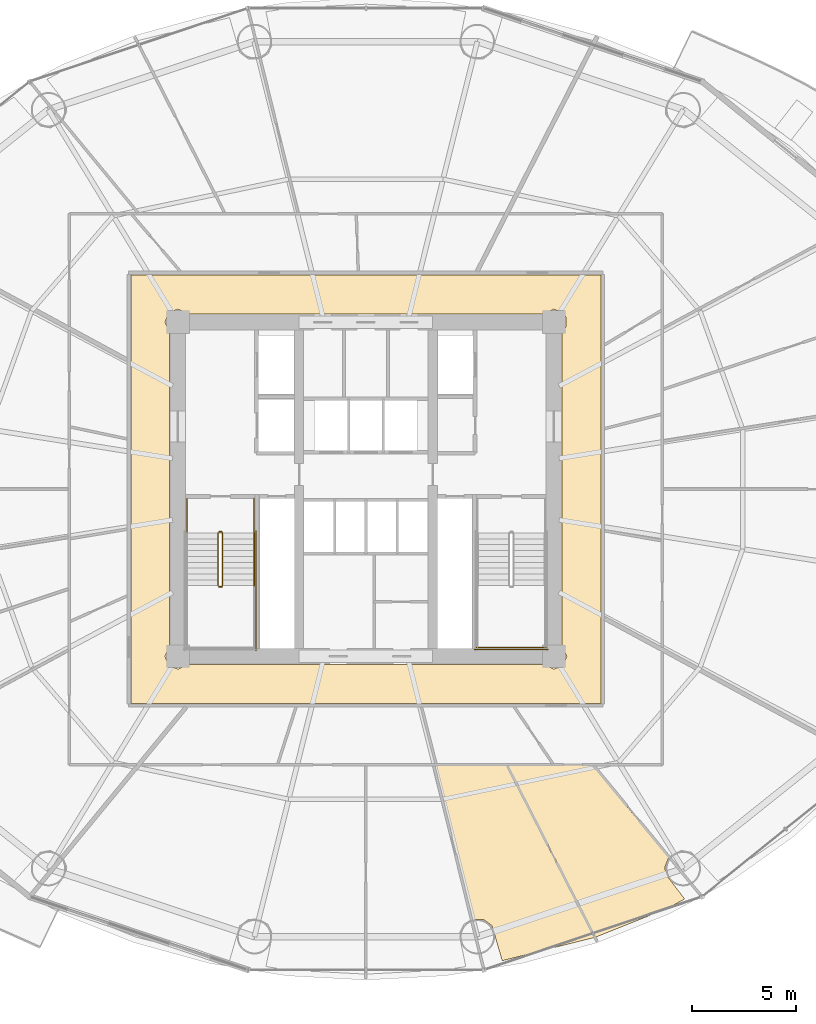
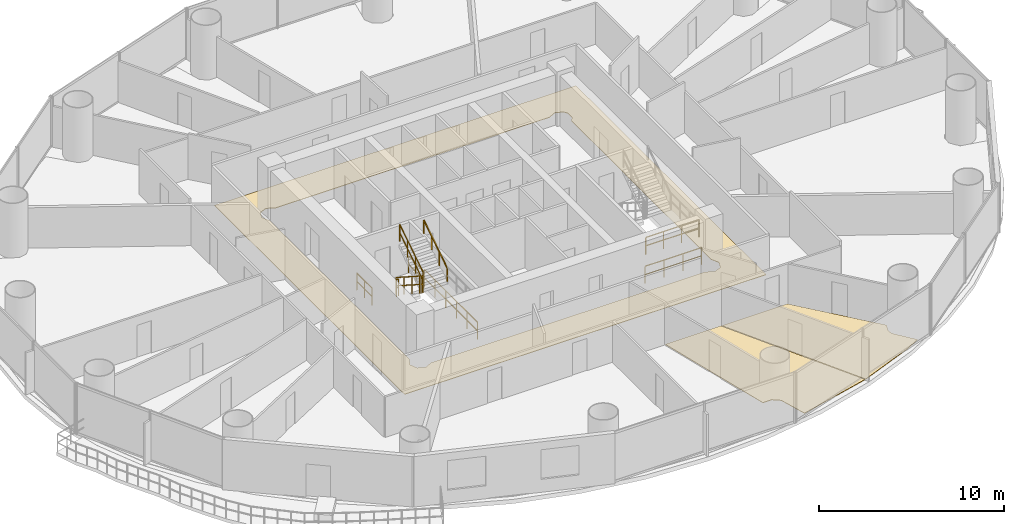
# One storey, part 27 of 29: 10 railings, 3 coverings.
"""IFC4 building model written with IfcOpenShell, lengths in metres."""

from ifc_helpers import new_model, si_unit, direction, frame, origin, origin_2d, place, context, subcontext, project, spatial, polyline, rectangle, outline, extrude, material, layer, layer_set, type_object, element, save


model = new_model("IFC4")

# Units and contexts
model_context = context("Model", 3, precision=1e-05, world=origin(), true_north=direction((-0.2419218956, 0.970295726276)))
body_context = subcontext(model_context, "Body", "Model", "MODEL_VIEW")
ifc_project = project(units=[si_unit("LENGTHUNIT", "METRE"), si_unit("AREAUNIT", "SQUARE_METRE"), si_unit("VOLUMEUNIT", "CUBIC_METRE"), si_unit("PLANEANGLEUNIT", "RADIAN"), si_unit("MASSUNIT", "GRAM", prefix="KILO")], contexts=[model_context])

# Site, building, storey
site_placement = place(None, origin())
site = spatial("IfcSite", under=ifc_project, at=site_placement, CompositionType="ELEMENT")
building_placement = place(site_placement, origin())
building = spatial("IfcBuilding", under=site, at=building_placement, Name="Cobrevalo Terracotta Tower", CompositionType="ELEMENT")
storey_placement = place(building_placement, frame((0.0, 0.0, 52.800048828125)))
storey = spatial("IfcBuildingStorey", under=building, at=storey_placement, Name="L13", CompositionType="ELEMENT", Elevation=52.800048828125)

# Coverings
ifc_material_1 = material(Name="Engineered Brazilian hardwood flooring", Category="wood")
ifc_layer_1 = layer(ifc_material_1, 0.028076171875)
ifc_layer_set_1 = layer_set([ifc_layer_1], Name="Engineered Brazilian hardwood flooring")
covering_type_1 = type_object("IfcCoveringType", Name="Engineered Hardwood Suite Flooring 28", PredefinedType="FLOORING", material=ifc_layer_set_1)
covering_1_placement = place(storey_placement, origin())
element("IfcCovering", 1, at=covering_1_placement, inside=storey, type_object=covering_type_1, Name="Flat L13D Principal Guest Bedroom floor finish", PredefinedType="FLOORING", context=body_context, shape_type="SweptSolid", body=[
    extrude(outline(polyline([(44.527587890625, 4.2255859375), (44.04345703125, 5.89306640625), (43.63330078125, 6.197998046875), (43.075439453125, 6.20703125), (41.264404296875, 13.5849609375), (44.732421875, 13.5849609375), (48.948974609375, 5.336181640625), (44.527587890625, 4.2255859375)])), origin(), (0.0, 0.0, 1.0), 0.030029296875),
])
covering_2_placement = place(storey_placement, origin())
element("IfcCovering", 2, at=covering_2_placement, inside=storey, type_object=covering_type_1, Name="Flat L13D Penthouse Family Lounge floor finish", PredefinedType="FLOORING", context=body_context, shape_type="SweptSolid", body=[
    extrude(outline(polyline([(48.9873046875, 5.3486328125), (44.77734375, 13.5849609375), (48.87060546875, 13.5849609375), (52.5048828125, 9.177490234375), (52.318115234375, 8.71044921875), (52.35498046875, 8.369140625), (53.26318359375, 7.178955078125), (52.361572265625, 6.691650390625), (48.9873046875, 5.3486328125)])), origin(), (0.0, 0.0, 1.0), 0.030029296875),
])
ifc_material_2 = material(Name="Honed terracotta and granite tile", Category="masonry")
ifc_layer_2 = layer(ifc_material_2, 0.034912109375)
ifc_layer_set_2 = layer_set([ifc_layer_2], Name="Honed terracotta and granite tile")
covering_type_2 = type_object("IfcCoveringType", Name="Honed Terracotta & Granite Interior Flooring 35", PredefinedType="FLOORING", material=ifc_layer_set_2)
covering_3_placement = place(storey_placement, origin())
element("IfcCovering", 3, at=covering_3_placement, inside=storey, type_object=covering_type_2, Name="L13 Residential Floor Corridor floor finish", PredefinedType="FLOORING", context=body_context, shape_type="SweptSolid", body=[
    extrude(outline(polyline([(49.2548828125, 37.054931640625), (49.2548828125, 16.544921875), (26.7451171875, 16.544921875), (26.7451171875, 37.054931640625), (49.2548828125, 37.054931640625)]), holes=[polyline([(47.39501953125, 34.33203125), (47.5732421875, 34.5625), (47.5732421875, 35.037353515625), (47.438720703125, 35.23876953125), (47.0, 35.42041015625), (46.5322265625, 35.195068359375), (29.4677734375, 35.195068359375), (29.0, 35.42041015625), (28.561279296875, 35.23876953125), (28.379638671875, 34.800048828125), (28.60498046875, 34.33203125), (28.60498046875, 19.267822265625), (28.379638671875, 18.800048828125), (28.561279296875, 18.361328125), (29.0, 18.1796875), (29.4677734375, 18.405029296875), (46.5322265625, 18.405029296875), (47.0, 18.1796875), (47.438720703125, 18.361328125), (47.620361328125, 18.800048828125), (47.39501953125, 19.267822265625), (47.39501953125, 34.33203125)])]), origin(), (0.0, 0.0, 1.0), 0.030029296875),
])

# Railings
ifc_material_3 = material(Name="Brushed stainless steel", Category="steel")
railing_type_1 = type_object("IfcRailingType", Name="Stainless Steel Stair Handrail 900", PredefinedType="HANDRAIL", material=ifc_material_3)
railing_1_placement = place(storey_placement, frame((32.64501953125, 22.179931640625, 1.97998046875)))
element("IfcRailing", 4, at=railing_1_placement, inside=storey, type_object=railing_type_1, Name="L13 ST-1 stair handrail 2", PredefinedType="HANDRAIL", context=body_context, shape_type="SweptSolid", body=[
    extrude(rectangle(XDim=0.048095703125, YDim=0.048095703125, at=origin_2d()), frame((0.0, 0.0, 0.8759765625), z_axis=(0.0, 0.841199657755, 0.540724639528), x_axis=(-1.0, 0.0, 0.0)), (0.0, 0.0, 1.0), 2.995849609375),
    extrude(rectangle(XDim=0.0419921875, YDim=0.0419921875, at=origin_2d()), origin(), (0.0, 0.0, 1.0), 0.851806640625),
    extrude(rectangle(XDim=0.0419921875, YDim=0.0419921875, at=origin_2d()), frame((0.0, 0.840087890625, 0.5400390625)), (0.0, 0.0, 1.0), 0.851806640625),
    extrude(rectangle(XDim=0.0419921875, YDim=0.0419921875, at=origin_2d()), frame((0.0, 1.679931640625, 1.079833984375)), (0.0, 0.0, 1.0), 0.851806640625),
    extrude(rectangle(XDim=0.0419921875, YDim=0.0419921875, at=origin_2d()), frame((0.0, 2.52001953125, 1.619873046875)), (0.0, 0.0, 1.0), 0.851806640625),
])
ifc_material_4 = material(Name="Painted galvanized steel", Category="steel")
railing_type_2 = type_object("IfcRailingType", Name="Stair Well Guard Balustrade 1150", PredefinedType="GUARDRAIL", material=ifc_material_4)
railing_2_placement = place(storey_placement, frame((30.925048828125, 24.699951171875, 0.179931640625)))
element("IfcRailing", 5, at=railing_2_placement, inside=storey, type_object=railing_type_2, Name="L13 ST-1 stair guard 1", PredefinedType="GUARDRAIL", context=body_context, shape_type="SweptSolid", body=[
    extrude(rectangle(XDim=0.048095703125, YDim=0.048095703125, at=origin_2d()), frame((0.0, 0.0, 1.1259765625), z_axis=(0.0, -0.841162588446, 0.540782303519), x_axis=(1.0, 0.0, 0.0)), (0.0, 0.0, 1.0), 2.995849609375),
    extrude(rectangle(XDim=0.048095703125, YDim=0.048095703125, at=origin_2d()), frame((0.0, 0.0, 0.574951171875), z_axis=(0.0, -0.841162588446, 0.540782303519), x_axis=(1.0, 0.0, 0.0)), (0.0, 0.0, 1.0), 2.995849609375),
    extrude(rectangle(XDim=0.0419921875, YDim=0.0419921875, at=origin_2d()), origin(), (0.0, 0.0, 1.0), 1.101806640625),
    extrude(rectangle(XDim=0.0419921875, YDim=0.0419921875, at=origin_2d()), frame((0.0, -0.840087890625, 0.5400390625)), (0.0, 0.0, 1.0), 1.101806640625),
    extrude(rectangle(XDim=0.0419921875, YDim=0.0419921875, at=origin_2d()), frame((0.0, -1.679931640625, 1.080078125)), (0.0, 0.0, 1.0), 1.101806640625),
    extrude(rectangle(XDim=0.0419921875, YDim=0.0419921875, at=origin_2d()), frame((0.0, -2.52001953125, 1.6201171875)), (0.0, 0.0, 1.0), 1.101806640625),
])
railing_3_placement = place(storey_placement, frame((30.97509765625, 22.1298828125, 1.800048828125)))
element("IfcRailing", 6, at=railing_3_placement, inside=storey, type_object=railing_type_2, Name="L13 ST-1 stair guard 2", PredefinedType="GUARDRAIL", context=body_context, shape_type="SweptSolid", body=[
    extrude(rectangle(XDim=0.048095703125, YDim=0.048095703125, at=origin_2d()), frame((0.0, 0.0, 1.1259765625), z_axis=(1.0, 0.0, 0.0), x_axis=(0.0, 1.0, 0.0)), (0.0, 0.0, 1.0), 0.119873046875),
    extrude(rectangle(XDim=0.048095703125, YDim=0.048095703125, at=origin_2d()), frame((0.0, 0.0, 0.574951171875), z_axis=(1.0, 0.0, 0.0), x_axis=(0.0, 1.0, 0.0)), (0.0, 0.0, 1.0), 0.119873046875),
    extrude(rectangle(XDim=0.0419921875, YDim=0.0419921875, at=origin_2d()), origin(), (0.0, 0.0, 1.0), 1.101806640625),
    extrude(rectangle(XDim=0.0419921875, YDim=0.0419921875, at=origin_2d()), frame((0.119873046875, 0.0, 0.0)), (0.0, 0.0, 1.0), 1.101806640625),
])
railing_4_placement = place(storey_placement, frame((31.14501953125, 22.179931640625, 1.97998046875)))
element("IfcRailing", 7, at=railing_4_placement, inside=storey, type_object=railing_type_2, Name="L13 ST-1 stair guard 6", PredefinedType="GUARDRAIL", context=body_context, shape_type="SweptSolid", body=[
    extrude(rectangle(XDim=0.048095703125, YDim=0.048095703125, at=origin_2d()), frame((0.0, 0.0, 1.1259765625), z_axis=(0.0, 0.841199657755, 0.540724639528), x_axis=(-1.0, 0.0, 0.0)), (0.0, 0.0, 1.0), 2.995849609375),
    extrude(rectangle(XDim=0.048095703125, YDim=0.048095703125, at=origin_2d()), frame((0.0, 0.0, 0.574951171875), z_axis=(0.0, 0.841199657755, 0.540724639528), x_axis=(-1.0, 0.0, 0.0)), (0.0, 0.0, 1.0), 2.995849609375),
    extrude(rectangle(XDim=0.0419921875, YDim=0.0419921875, at=origin_2d()), origin(), (0.0, 0.0, 1.0), 1.101806640625),
    extrude(rectangle(XDim=0.0419921875, YDim=0.0419921875, at=origin_2d()), frame((0.0, 0.840087890625, 0.5400390625)), (0.0, 0.0, 1.0), 1.101806640625),
    extrude(rectangle(XDim=0.0419921875, YDim=0.0419921875, at=origin_2d()), frame((0.0, 1.679931640625, 1.079833984375)), (0.0, 0.0, 1.0), 1.101806640625),
    extrude(rectangle(XDim=0.0419921875, YDim=0.0419921875, at=origin_2d()), frame((0.0, 2.52001953125, 1.619873046875)), (0.0, 0.0, 1.0), 1.101806640625),
])
railing_5_placement = place(storey_placement, frame((30.97509765625, 24.75, 0.0)))
element("IfcRailing", 8, at=railing_5_placement, inside=storey, type_object=railing_type_2, Name="L13 ST-1 stair guard 7", PredefinedType="GUARDRAIL", context=body_context, shape_type="SweptSolid", body=[
    extrude(rectangle(XDim=0.048095703125, YDim=0.048095703125, at=origin_2d()), frame((0.0, 0.0, 1.1259765625), z_axis=(1.0, 0.0, 0.0), x_axis=(0.0, 1.0, 0.0)), (0.0, 0.0, 1.0), 0.119873046875),
    extrude(rectangle(XDim=0.048095703125, YDim=0.048095703125, at=origin_2d()), frame((0.0, 0.0, 0.574951171875), z_axis=(1.0, 0.0, 0.0), x_axis=(0.0, 1.0, 0.0)), (0.0, 0.0, 1.0), 0.119873046875),
    extrude(rectangle(XDim=0.0419921875, YDim=0.0419921875, at=origin_2d()), origin(), (0.0, 0.0, 1.0), 1.101806640625),
    extrude(rectangle(XDim=0.0419921875, YDim=0.0419921875, at=origin_2d()), frame((0.119873046875, 0.0, 0.0)), (0.0, 0.0, 1.0), 1.101806640625),
])
for number, where, name in (
    (9, (29.425048828125, 26.35009765625, 0.0), "L13 ST-1 stair guard 8"),
    (10, (32.64501953125, 26.35009765625, 0.0), "L13 ST-1 stair guard 9"),
):
    element("IfcRailing", number, at=place(storey_placement, frame(where)), inside=storey, type_object=railing_type_2, Name=name, PredefinedType="GUARDRAIL", context=body_context, shape_type="SweptSolid", body=[
        extrude(rectangle(XDim=0.048095703125, YDim=0.048095703125, at=origin_2d()), frame((0.0, 0.0, 1.1259765625), z_axis=(0.0, -1.0, 0.0), x_axis=(1.0, 0.0, 0.0)), (0.0, 0.0, 1.0), 1.650146484375),
        extrude(rectangle(XDim=0.048095703125, YDim=0.048095703125, at=origin_2d()), frame((0.0, 0.0, 0.574951171875), z_axis=(0.0, -1.0, 0.0), x_axis=(1.0, 0.0, 0.0)), (0.0, 0.0, 1.0), 1.650146484375),
        extrude(rectangle(XDim=0.0419921875, YDim=0.0419921875, at=origin_2d()), origin(), (0.0, 0.0, 1.0), 1.101806640625),
        extrude(rectangle(XDim=0.0419921875, YDim=0.0419921875, at=origin_2d()), frame((0.0, -0.8251953125, 0.0)), (0.0, 0.0, 1.0), 1.101806640625),
        extrude(rectangle(XDim=0.0419921875, YDim=0.0419921875, at=origin_2d()), frame((0.0, -1.650146484375, 0.0)), (0.0, 0.0, 1.0), 1.101806640625),
    ])
railing_6_placement = place(storey_placement, frame((32.7451171875, 24.800048828125, 0.0)))
element("IfcRailing", 11, at=railing_6_placement, inside=storey, type_object=railing_type_2, Name="L13 ST-1 stair guard 11", PredefinedType="GUARDRAIL", context=body_context, shape_type="SweptSolid", body=[
    extrude(rectangle(XDim=0.048095703125, YDim=0.048095703125, at=origin_2d()), frame((0.0, 0.0, 1.1259765625), z_axis=(0.0, -1.0, 0.0), x_axis=(1.0, 0.0, 0.0)), (0.0, 0.0, 1.0), 5.72509765625),
    extrude(rectangle(XDim=0.048095703125, YDim=0.048095703125, at=origin_2d()), frame((0.0, 0.0, 0.574951171875), z_axis=(0.0, -1.0, 0.0), x_axis=(1.0, 0.0, 0.0)), (0.0, 0.0, 1.0), 5.72509765625),
    extrude(rectangle(XDim=0.0419921875, YDim=0.0419921875, at=origin_2d()), origin(), (0.0, 0.0, 1.0), 1.101806640625),
    extrude(rectangle(XDim=0.0419921875, YDim=0.0419921875, at=origin_2d()), frame((0.0, -1.14501953125, 0.0)), (0.0, 0.0, 1.0), 1.101806640625),
    extrude(rectangle(XDim=0.0419921875, YDim=0.0419921875, at=origin_2d()), frame((0.0, -2.2900390625, 0.0)), (0.0, 0.0, 1.0), 1.101806640625),
    extrude(rectangle(XDim=0.0419921875, YDim=0.0419921875, at=origin_2d()), frame((0.0, -3.43505859375, 0.0)), (0.0, 0.0, 1.0), 1.101806640625),
    extrude(rectangle(XDim=0.0419921875, YDim=0.0419921875, at=origin_2d()), frame((0.0, -4.580078125, 0.0)), (0.0, 0.0, 1.0), 1.101806640625),
    extrude(rectangle(XDim=0.0419921875, YDim=0.0419921875, at=origin_2d()), frame((0.0, -5.72509765625, 0.0)), (0.0, 0.0, 1.0), 1.101806640625),
])
railing_7_placement = place(storey_placement, frame((43.304931640625, 19.22509765625, 1.800048828125)))
element("IfcRailing", 12, at=railing_7_placement, inside=storey, type_object=railing_type_2, Name="L13 ST-2 stair guard 5", PredefinedType="GUARDRAIL", context=body_context, shape_type="SweptSolid", body=[
    extrude(rectangle(XDim=0.048095703125, YDim=0.048095703125, at=origin_2d()), frame((0.0, 0.0, 1.1259765625), z_axis=(1.0, 0.0, 0.0), x_axis=(0.0, 1.0, 0.0)), (0.0, 0.0, 1.0), 3.320068359375),
    extrude(rectangle(XDim=0.048095703125, YDim=0.048095703125, at=origin_2d()), frame((0.0, 0.0, 0.574951171875), z_axis=(1.0, 0.0, 0.0), x_axis=(0.0, 1.0, 0.0)), (0.0, 0.0, 1.0), 3.320068359375),
    extrude(rectangle(XDim=0.0419921875, YDim=0.0419921875, at=origin_2d()), origin(), (0.0, 0.0, 1.0), 1.101806640625),
    extrude(rectangle(XDim=0.0419921875, YDim=0.0419921875, at=origin_2d()), frame((1.106689453125, 0.0, 0.0)), (0.0, 0.0, 1.0), 1.101806640625),
    extrude(rectangle(XDim=0.0419921875, YDim=0.0419921875, at=origin_2d()), frame((2.21337890625, 0.0, 0.0)), (0.0, 0.0, 1.0), 1.101806640625),
    extrude(rectangle(XDim=0.0419921875, YDim=0.0419921875, at=origin_2d()), frame((3.320068359375, 0.0, 0.0)), (0.0, 0.0, 1.0), 1.101806640625),
])
railing_8_placement = place(storey_placement, frame((43.205078125, 19.125, 0.0)))
element("IfcRailing", 13, at=railing_8_placement, inside=storey, type_object=railing_type_2, Name="L13 ST-2 stair guard 12", PredefinedType="GUARDRAIL", context=body_context, shape_type="SweptSolid", body=[
    extrude(rectangle(XDim=0.048095703125, YDim=0.048095703125, at=origin_2d()), frame((0.0, 0.0, 1.1259765625), z_axis=(1.0, 0.0, 0.0), x_axis=(0.0, 1.0, 0.0)), (0.0, 0.0, 1.0), 3.52001953125),
    extrude(rectangle(XDim=0.048095703125, YDim=0.048095703125, at=origin_2d()), frame((0.0, 0.0, 0.574951171875), z_axis=(1.0, 0.0, 0.0), x_axis=(0.0, 1.0, 0.0)), (0.0, 0.0, 1.0), 3.52001953125),
    extrude(rectangle(XDim=0.0419921875, YDim=0.0419921875, at=origin_2d()), origin(), (0.0, 0.0, 1.0), 1.101806640625),
    extrude(rectangle(XDim=0.0419921875, YDim=0.0419921875, at=origin_2d()), frame((1.17333984375, 0.0, 0.0)), (0.0, 0.0, 1.0), 1.101806640625),
    extrude(rectangle(XDim=0.0419921875, YDim=0.0419921875, at=origin_2d()), frame((2.3466796875, 0.0, 0.0)), (0.0, 0.0, 1.0), 1.101806640625),
    extrude(rectangle(XDim=0.0419921875, YDim=0.0419921875, at=origin_2d()), frame((3.52001953125, 0.0, 0.0)), (0.0, 0.0, 1.0), 1.101806640625),
])

save(model, "model.ifc")
